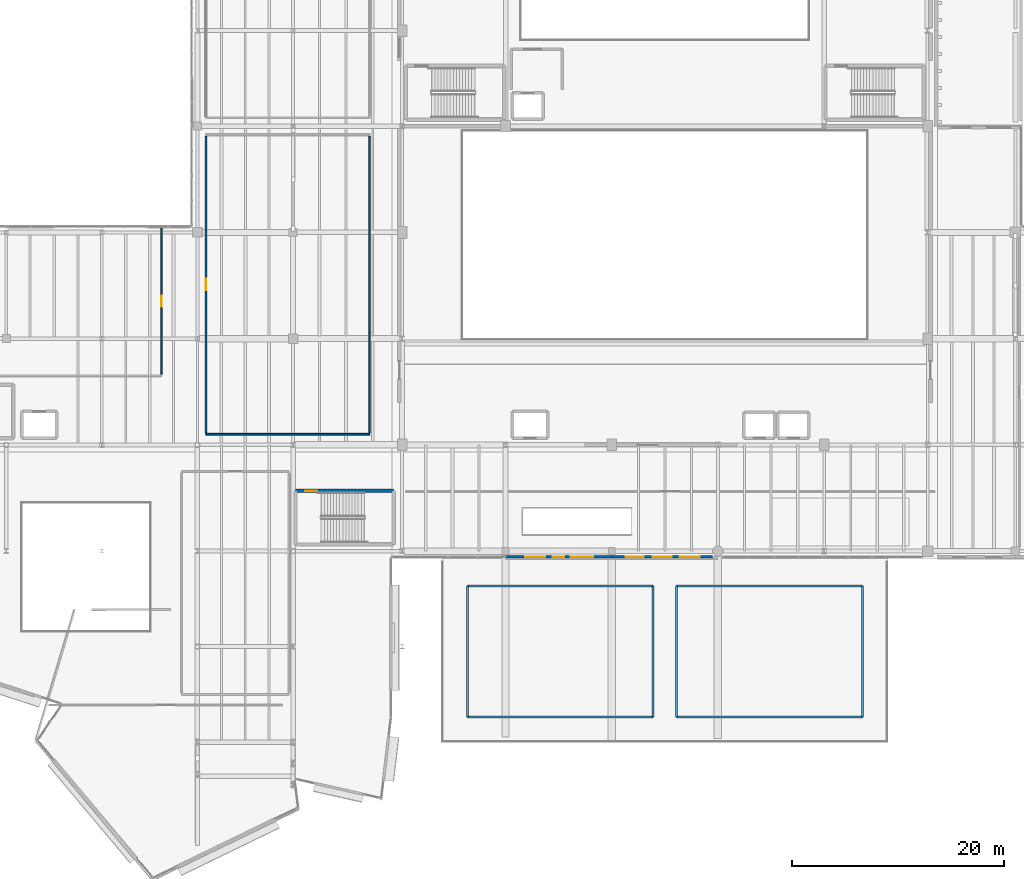
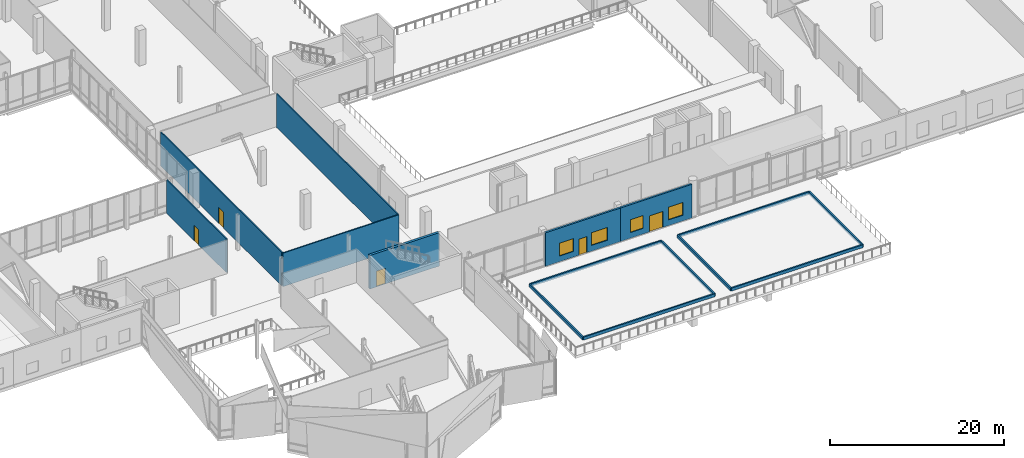
# One storey, part 42 of 60: 15 walls, 5 doors, 4 windows, 9 openings.
"""IFC4 building model written with IfcOpenShell, lengths in metres."""

from ifc_helpers import new_model, si_unit, direction, frame, frame_2d, origin, place, context, subcontext, project, spatial, rectangle, extrude, material, layer, layer_set, type_object, element, fill, save


model = new_model("IFC4")

# Units and contexts
model_context = context("Model", 3, precision=1e-05, world=origin(), true_north=direction((0.0, 1.0)))
body_context = subcontext(model_context, "Body", "Model", "MODEL_VIEW")
ifc_project = project(units=[si_unit("LENGTHUNIT", "METRE"), si_unit("AREAUNIT", "SQUARE_METRE"), si_unit("VOLUMEUNIT", "CUBIC_METRE"), si_unit("PLANEANGLEUNIT", "RADIAN"), si_unit("MASSUNIT", "GRAM", prefix="KILO")], contexts=[model_context])

# Site, building, storey
site_placement = place(None, origin())
site = spatial("IfcSite", under=ifc_project, at=site_placement, CompositionType="ELEMENT")
building_placement = place(site_placement, origin())
building = spatial("IfcBuilding", under=site, at=building_placement, Name="Trimount Lyric Opera House", CompositionType="ELEMENT")
storey_placement = place(building_placement, frame((0.0, 0.0, 15.0)))
storey = spatial("IfcBuildingStorey", under=building, at=storey_placement, Name="L03", CompositionType="ELEMENT", Elevation=15.0)

# Walls
ifc_material_1 = material(Name="Precast concrete C40/50", Category="concrete")
ifc_layer_1 = layer(ifc_material_1, 0.18994140625)
ifc_layer_set_1 = layer_set([ifc_layer_1], Name="WL-PA190")
wall_type_1 = type_object("IfcWallType", Name="WL-PA190", PredefinedType="PARAPET", material=ifc_layer_set_1)
for number, where, z_axis, x_axis, name in (
    (1, (70.39990234375, 28.39990234375, 0.0), (0.0, 0.0, 1.0), (1.0, 0.0, 0.0), "South Concourse Roof Garden stone planter kerb 1S"),
    (2, (87.89990234375, 40.719970703125, 0.0), (0.0, 0.0, 1.0), (-1.0, 0.0, 0.0), "South Concourse Roof Garden stone planter kerb 1N"),
):
    element("IfcWall", number, at=place(storey_placement, frame(where, z_axis=z_axis, x_axis=x_axis)), inside=storey, type_object=wall_type_1, Name=name, PredefinedType="PARAPET", context=body_context, shape_type="SweptSolid", body=[
        extrude(rectangle(XDim=17.5, YDim=0.18994140625, at=frame_2d((8.75, 0.0))), origin(), (0.0, 0.0, 1.0), 0.419921875),
    ])
for number, where, z_axis, x_axis, name in (
    (3, (70.39990234375, 40.719970703125, 0.0), (0.0, 0.0, 1.0), (0.0, -1.0, 0.0), "South Concourse Roof Garden stone planter kerb 1W"),
    (4, (87.89990234375, 28.39990234375, 0.0), (0.0, 0.0, 1.0), (0.0, 1.0, 0.0), "South Concourse Roof Garden stone planter kerb 1E"),
):
    element("IfcWall", number, at=place(storey_placement, frame(where, z_axis=z_axis, x_axis=x_axis)), inside=storey, type_object=wall_type_1, Name=name, PredefinedType="PARAPET", context=body_context, shape_type="SweptSolid", body=[
        extrude(rectangle(XDim=12.320068359375, YDim=0.18994140625, at=frame_2d((6.16015625, 0.0))), origin(), (0.0, 0.0, 1.0), 0.419921875),
    ])
for number, where, z_axis, x_axis, name in (
    (5, (90.10009765625, 28.39990234375, 0.0), (0.0, 0.0, 1.0), (1.0, 0.0, 0.0), "South Concourse Roof Garden stone planter kerb 2S"),
    (6, (107.60009765625, 40.719970703125, 0.0), (0.0, 0.0, 1.0), (-1.0, 0.0, 0.0), "South Concourse Roof Garden stone planter kerb 2N"),
):
    element("IfcWall", number, at=place(storey_placement, frame(where, z_axis=z_axis, x_axis=x_axis)), inside=storey, type_object=wall_type_1, Name=name, PredefinedType="PARAPET", context=body_context, shape_type="SweptSolid", body=[
        extrude(rectangle(XDim=17.5, YDim=0.18994140625, at=frame_2d((8.75, 0.0))), origin(), (0.0, 0.0, 1.0), 0.419921875),
    ])
for number, where, z_axis, x_axis, name in (
    (7, (90.10009765625, 40.719970703125, 0.0), (0.0, 0.0, 1.0), (0.0, -1.0, 0.0), "South Concourse Roof Garden stone planter kerb 2W"),
    (8, (107.60009765625, 28.39990234375, 0.0), (0.0, 0.0, 1.0), (0.0, 1.0, 0.0), "South Concourse Roof Garden stone planter kerb 2E"),
):
    element("IfcWall", number, at=place(storey_placement, frame(where, z_axis=z_axis, x_axis=x_axis)), inside=storey, type_object=wall_type_1, Name=name, PredefinedType="PARAPET", context=body_context, shape_type="SweptSolid", body=[
        extrude(rectangle(XDim=12.320068359375, YDim=0.18994140625, at=frame_2d((6.16015625, 0.0))), origin(), (0.0, 0.0, 1.0), 0.419921875),
    ])

# Wall, opening, door
ifc_material_2 = material(Name="Fire-Rated Gypsum Board Partition")
ifc_layer_2 = layer(ifc_material_2, 0.14990234375)
ifc_layer_set_2 = layer_set([ifc_layer_2], Name="WL-PT150")
wall_type_2 = type_object("IfcWallType", Name="WL-PT150", PredefinedType="PARTITIONING", material=ifc_layer_set_2)
wall_1_placement = place(storey_placement, frame((41.60009765625, 60.64990234375, 0.0), z_axis=(0.0, 0.0, 1.0), x_axis=(0.0, 1.0, 0.0)))
wall_1 = element("IfcWall", 9, at=wall_1_placement, inside=storey, type_object=wall_type_2, Name="L03 Dramaturgy & Libretto Workshop E partition", PredefinedType="PARTITIONING", context=body_context, shape_type="SweptSolid", body=[
    extrude(rectangle(XDim=13.75, YDim=0.14990234375, at=frame_2d((6.875, 0.0))), origin(), (0.0, 0.0, 1.0), 4.719970703125),
])
opening_1_placement = place(wall_1_placement, frame((6.375, 0.0, 0.0)))
opening_1 = element("IfcOpeningElement", 10, at=opening_1_placement, cuts=wall_1, Name="Opening DT-RM1", PredefinedType="OPENING", context=body_context, shape_type="SweptSolid", body=[
    extrude(rectangle(XDim=1.0, YDim=2.14990234375, at=frame_2d((0.5, 1.074951171875))), frame((0.0, 0.0849609375, 0.0), z_axis=(0.0, -1.0, 0.0), x_axis=(1.0, 0.0, 0.0)), (0.0, 0.0, 1.0), 0.169921875),
])
ifc_material_3 = material(Name="Solid Core White Oak")
door_type_1 = type_object("IfcDoorType", Name="DT-RM1", OperationType="NOTDEFINED", PredefinedType="DOOR", material=ifc_material_3)
door_1_placement = place(opening_1_placement, origin())
door_1 = element("IfcDoor", 11, at=door_1_placement, inside=storey, type_object=door_type_1, Name="D-227", OperationType="SINGLE_SWING_LEFT", OverallHeight=2.14990234375, OverallWidth=1.0, PredefinedType="DOOR", context=body_context, shape_type="SweptSolid", body=[
    extrude(rectangle(XDim=1.0, YDim=2.14990234375, at=frame_2d((0.5, 1.074951171875))), frame((0.0, 0.02490234375, 0.0), z_axis=(0.0, -1.0, 0.0), x_axis=(1.0, 0.0, 0.0)), (0.0, 0.0, 1.0), 0.050048828125),
])
fill(opening_1, door_1)

# Wall
wall_2_placement = place(storey_placement, frame((45.800048828125, 55.0, 0.0), z_axis=(0.0, 0.0, 1.0), x_axis=(1.0, 0.0, 0.0)))
element("IfcWall", 12, at=wall_2_placement, inside=storey, type_object=wall_type_2, Name="L03 Young Artist Residency Studio S partition", PredefinedType="PARTITIONING", context=body_context, shape_type="SweptSolid", body=[
    extrude(rectangle(XDim=15.39990234375, YDim=0.14990234375, at=frame_2d((7.699951171875, 0.0))), origin(), (0.0, 0.0, 1.0), 4.719970703125),
])

# Wall, opening, door
wall_3_placement = place(storey_placement, frame((45.800048828125, 83.050048828125, 0.0), z_axis=(0.0, 0.0, 1.0), x_axis=(0.0, -1.0, 0.0)))
wall_3 = element("IfcWall", 13, at=wall_3_placement, inside=storey, type_object=wall_type_2, Name="L03 Young Artist Residency Studio W partition", PredefinedType="PARTITIONING", context=body_context, shape_type="SweptSolid", body=[
    extrude(rectangle(XDim=27.900146484375, YDim=0.14990234375, at=frame_2d((13.9501953125, 0.0))), origin(), (0.0, 0.0, 1.0), 4.719970703125),
])
opening_2_placement = place(wall_3_placement, frame((13.389892578125, 0.0, 0.0)))
opening_2 = element("IfcOpeningElement", 14, at=opening_2_placement, cuts=wall_3, Name="Opening DT-AC2", PredefinedType="OPENING", context=body_context, shape_type="SweptSolid", body=[
    extrude(rectangle(XDim=1.1201171875, YDim=2.25, at=frame_2d((0.56005859375, 1.125))), frame((0.0, 0.0849609375, 0.0), z_axis=(0.0, -1.0, 0.0), x_axis=(1.0, 0.0, 0.0)), (0.0, 0.0, 1.0), 0.169921875),
])
ifc_material_4 = material(Name="Acoustic Steel-Core Timber", Category="steel")
door_type_2 = type_object("IfcDoorType", Name="DT-AC2", OperationType="NOTDEFINED", PredefinedType="DOOR", material=ifc_material_4)
door_2_placement = place(opening_2_placement, origin())
door_2 = element("IfcDoor", 15, at=door_2_placement, inside=storey, type_object=door_type_2, Name="D-228", OperationType="SINGLE_SWING_RIGHT", OverallHeight=2.25, OverallWidth=1.1201171875, PredefinedType="DOOR", context=body_context, shape_type="SweptSolid", body=[
    extrude(rectangle(XDim=1.1201171875, YDim=2.25, at=frame_2d((0.56005859375, 1.125))), frame((0.0, 0.02490234375, 0.0), z_axis=(0.0, -1.0, 0.0), x_axis=(1.0, 0.0, 0.0)), (0.0, 0.0, 1.0), 0.050048828125),
])
fill(opening_2, door_2)

# Wall
wall_4_placement = place(storey_placement, frame((61.199951171875, 55.14990234375, 0.0), z_axis=(0.0, 0.0, 1.0), x_axis=(0.0, 1.0, 0.0)))
element("IfcWall", 16, at=wall_4_placement, inside=storey, type_object=wall_type_2, Name="L03 Young Artist Residency Studio E partition", PredefinedType="PARTITIONING", context=body_context, shape_type="SweptSolid", body=[
    extrude(rectangle(XDim=27.900146484375, YDim=0.14990234375, at=frame_2d((13.9501953125, 0.0))), origin(), (0.0, 0.0, 1.0), 4.719970703125),
])

# Wall, opening, door
ifc_material_5 = material(Name="Concrete C40/50", Category="concrete")
ifc_layer_3 = layer(ifc_material_5, 0.320068359375)
ifc_layer_set_3 = layer_set([ifc_layer_3], Name="WL-SH320")
wall_type_3 = type_object("IfcWallType", Name="WL-SH320", PredefinedType="SHEAR", material=ifc_layer_set_3)
wall_5_placement = place(storey_placement, frame((63.47509765625, 49.675048828125, 0.0), z_axis=(0.0, 0.0, 1.0), x_axis=(-1.0, 0.0, 0.0)))
wall_5 = element("IfcWall", 17, at=wall_5_placement, inside=storey, type_object=wall_type_3, Name="K7 L03 north shaft wall", PredefinedType="SHEAR", context=body_context, shape_type="SweptSolid", body=[
    extrude(rectangle(XDim=9.25, YDim=0.320068359375, at=frame_2d((4.625, 0.0))), origin(), (0.0, 0.0, 1.0), 4.699951171875),
])
opening_3_placement = place(wall_5_placement, frame((7.199951171875, 0.0, 0.0)))
opening_3 = element("IfcOpeningElement", 18, at=opening_3_placement, cuts=wall_5, Name="Opening DT-ST1", PredefinedType="OPENING", context=body_context, shape_type="SweptSolid", body=[
    extrude(rectangle(XDim=1.14990234375, YDim=2.199951171875, at=frame_2d((0.574951171875, 1.10009765625))), frame((0.0, 0.169921875, 0.0), z_axis=(0.0, -1.0, 0.0), x_axis=(1.0, 0.0, 0.0)), (0.0, 0.0, 1.0), 0.340087890625),
])
ifc_material_6 = material(Name="Fire-Rated Hollow Steel", Category="steel")
door_type_3 = type_object("IfcDoorType", Name="DT-ST1", OperationType="NOTDEFINED", PredefinedType="DOOR", material=ifc_material_6)
door_3_placement = place(opening_3_placement, origin())
door_3 = element("IfcDoor", 19, at=door_3_placement, inside=storey, type_object=door_type_3, Name="D-055", OperationType="SINGLE_SWING_LEFT", OverallHeight=2.199951171875, OverallWidth=1.14990234375, PredefinedType="DOOR", context=body_context, shape_type="SweptSolid", body=[
    extrude(rectangle(XDim=1.14990234375, YDim=2.199951171875, at=frame_2d((0.574951171875, 1.10009765625))), frame((0.0, 0.02490234375, 0.0), z_axis=(0.0, -1.0, 0.0), x_axis=(1.0, 0.0, 0.0)), (0.0, 0.0, 1.0), 0.050048828125),
])
fill(opening_3, door_3)

# Wall, openings, door, windows
ifc_material_7 = material(Name="Concrete C35/45", Category="concrete")
ifc_layer_4 = layer(ifc_material_7, 0.239990234375)
ifc_layer_set_4 = layer_set([ifc_layer_4], Name="WL-SW240")
wall_type_4 = type_object("IfcWallType", Name="WL-SW240", PredefinedType="SOLIDWALL", material=ifc_layer_set_4)
wall_6_placement = place(storey_placement, frame((93.5, 43.4599609375, 0.0), z_axis=(0.0, 0.0, 1.0), x_axis=(-1.0, 0.0, 0.0)))
wall_6 = element("IfcWall", 20, at=wall_6_placement, inside=storey, type_object=wall_type_4, Name="L03 exterior facade wall 280", PredefinedType="SOLIDWALL", context=body_context, shape_type="SweptSolid", body=[
    extrude(rectangle(XDim=9.5, YDim=0.239990234375, at=frame_2d((4.75, 0.0))), origin(), (0.0, 0.0, 1.0), 4.719970703125),
])
opening_4_placement = place(wall_6_placement, frame((1.2099609375, 0.0, 0.800048828125)))
opening_4 = element("IfcOpeningElement", 21, at=opening_4_placement, cuts=wall_6, Name="Opening WT-18", PredefinedType="OPENING", context=body_context, shape_type="SweptSolid", body=[
    extrude(rectangle(XDim=1.89990234375, YDim=1.800048828125, at=frame_2d((0.949951171875, 0.89990234375))), frame((0.0, 0.1298828125, 0.0), z_axis=(0.0, -1.0, 0.0), x_axis=(1.0, 0.0, 0.0)), (0.0, 0.0, 1.0), 0.260009765625),
])
opening_5_placement = place(wall_6_placement, frame((6.489990234375, 0.0, 0.800048828125)))
opening_5 = element("IfcOpeningElement", 22, at=opening_5_placement, cuts=wall_6, Name="Opening WT-19", PredefinedType="OPENING", context=body_context, shape_type="SweptSolid", body=[
    extrude(rectangle(XDim=1.699951171875, YDim=1.800048828125, at=frame_2d((0.85009765625, 0.89990234375))), frame((0.0, 0.1298828125, 0.0), z_axis=(0.0, -1.0, 0.0), x_axis=(1.0, 0.0, 0.0)), (0.0, 0.0, 1.0), 0.260009765625),
])
opening_6_placement = place(wall_6_placement, frame((3.85009765625, 0.0, 0.0)))
opening_6 = element("IfcOpeningElement", 23, at=opening_6_placement, cuts=wall_6, Name="Opening DT-TER1", PredefinedType="OPENING", context=body_context, shape_type="SweptSolid", body=[
    extrude(rectangle(XDim=1.800048828125, YDim=2.25, at=frame_2d((0.89990234375, 1.125))), frame((0.0, 0.1298828125, 0.0), z_axis=(0.0, -1.0, 0.0), x_axis=(1.0, 0.0, 0.0)), (0.0, 0.0, 1.0), 0.260009765625),
])
ifc_material_8 = material(Name="Thermally Broken Aluminium Glazed", Category="aluminium")
door_type_4 = type_object("IfcDoorType", Name="DT-TER1", OperationType="DOUBLE_DOOR_SINGLE_SWING", PredefinedType="DOOR", material=ifc_material_8)
door_4_placement = place(opening_6_placement, origin())
door_4 = element("IfcDoor", 24, at=door_4_placement, inside=storey, type_object=door_type_4, Name="D-158", OperationType="DOUBLE_DOOR_SINGLE_SWING", OverallHeight=2.25, OverallWidth=1.800048828125, PredefinedType="DOOR", context=body_context, shape_type="SweptSolid", body=[
    extrude(rectangle(XDim=1.800048828125, YDim=2.25, at=frame_2d((0.89990234375, 1.125))), frame((0.0, 0.02490234375, 0.0), z_axis=(0.0, -1.0, 0.0), x_axis=(1.0, 0.0, 0.0)), (0.0, 0.0, 1.0), 0.050048828125),
])
fill(opening_6, door_4)
ifc_material_9 = material(Name="Dressing Suite Acoustic Window")
window_type_1 = type_object("IfcWindowType", Name="WT-18", PartitioningType="DOUBLE_PANEL_VERTICAL", PredefinedType="WINDOW", material=ifc_material_9)
window_1_placement = place(opening_4_placement, origin())
window_1 = element("IfcWindow", 25, at=window_1_placement, inside=storey, type_object=window_type_1, Name="Window WT-18-0249", OverallHeight=1.800048828125, OverallWidth=1.89990234375, PartitioningType="SINGLE_PANEL", PredefinedType="WINDOW", context=body_context, shape_type="SweptSolid", body=[
    extrude(rectangle(XDim=1.89990234375, YDim=1.800048828125, at=frame_2d((0.949951171875, 0.89990234375))), frame((0.0, 0.030029296875, 0.0), z_axis=(0.0, -1.0, 0.0), x_axis=(1.0, 0.0, 0.0)), (0.0, 0.0, 1.0), 0.06005859375),
])
fill(opening_4, window_1)
ifc_material_10 = material(Name="Dressing Suite Acoustic Window")
window_type_2 = type_object("IfcWindowType", Name="WT-19", PartitioningType="SINGLE_PANEL", PredefinedType="WINDOW", material=ifc_material_10)
window_2_placement = place(opening_5_placement, origin())
window_2 = element("IfcWindow", 26, at=window_2_placement, inside=storey, type_object=window_type_2, Name="Window WT-19-0250", OverallHeight=1.800048828125, OverallWidth=1.699951171875, PartitioningType="SINGLE_PANEL", PredefinedType="WINDOW", context=body_context, shape_type="SweptSolid", body=[
    extrude(rectangle(XDim=1.699951171875, YDim=1.800048828125, at=frame_2d((0.85009765625, 0.89990234375))), frame((0.0, 0.030029296875, 0.0), z_axis=(0.0, -1.0, 0.0), x_axis=(1.0, 0.0, 0.0)), (0.0, 0.0, 1.0), 0.06005859375),
])
fill(opening_5, window_2)

wall_7_placement = place(storey_placement, frame((84.0, 43.4599609375, 0.0), z_axis=(0.0, 0.0, 1.0), x_axis=(-1.0, 0.0, 0.0)))
wall_7 = element("IfcWall", 27, at=wall_7_placement, inside=storey, type_object=wall_type_4, Name="L03 exterior facade wall 281", PredefinedType="SOLIDWALL", context=body_context, shape_type="SweptSolid", body=[
    extrude(rectangle(XDim=10.0, YDim=0.239990234375, at=frame_2d((5.0, 0.0))), origin(), (0.0, 0.0, 1.0), 4.719970703125),
])
opening_7_placement = place(wall_7_placement, frame((1.75, 0.0, 0.800048828125)))
opening_7 = element("IfcOpeningElement", 28, at=opening_7_placement, cuts=wall_7, Name="Opening WT-17", PredefinedType="OPENING", context=body_context, shape_type="SweptSolid", body=[
    extrude(rectangle(XDim=2.10009765625, YDim=1.800048828125, at=frame_2d((1.050048828125, 0.89990234375))), frame((0.0, 0.1298828125, 0.0), z_axis=(0.0, -1.0, 0.0), x_axis=(1.0, 0.0, 0.0)), (0.0, 0.0, 1.0), 0.260009765625),
])
opening_8_placement = place(wall_7_placement, frame((6.25, 0.0, 0.800048828125)))
opening_8 = element("IfcOpeningElement", 29, at=opening_8_placement, cuts=wall_7, Name="Opening WT-18", PredefinedType="OPENING", context=body_context, shape_type="SweptSolid", body=[
    extrude(rectangle(XDim=1.89990234375, YDim=1.800048828125, at=frame_2d((0.949951171875, 0.89990234375))), frame((0.0, 0.1298828125, 0.0), z_axis=(0.0, -1.0, 0.0), x_axis=(1.0, 0.0, 0.0)), (0.0, 0.0, 1.0), 0.260009765625),
])
opening_9_placement = place(wall_7_placement, frame((4.449951171875, 0.0, 0.0)))
opening_9 = element("IfcOpeningElement", 30, at=opening_9_placement, cuts=wall_7, Name="Opening DT-TER2", PredefinedType="OPENING", context=body_context, shape_type="SweptSolid", body=[
    extrude(rectangle(XDim=1.10009765625, YDim=2.25, at=frame_2d((0.550048828125, 1.125))), frame((0.0, 0.1298828125, 0.0), z_axis=(0.0, -1.0, 0.0), x_axis=(1.0, 0.0, 0.0)), (0.0, 0.0, 1.0), 0.260009765625),
])
ifc_material_11 = material(Name="Thermally Broken Aluminium Glazed", Category="aluminium")
door_type_5 = type_object("IfcDoorType", Name="DT-TER2", OperationType="NOTDEFINED", PredefinedType="DOOR", material=ifc_material_11)
door_5_placement = place(opening_9_placement, origin())
door_5 = element("IfcDoor", 31, at=door_5_placement, inside=storey, type_object=door_type_5, Name="D-159", OperationType="SINGLE_SWING_LEFT", OverallHeight=2.25, OverallWidth=1.10009765625, PredefinedType="DOOR", context=body_context, shape_type="SweptSolid", body=[
    extrude(rectangle(XDim=1.10009765625, YDim=2.25, at=frame_2d((0.550048828125, 1.125))), frame((0.0, 0.02490234375, 0.0), z_axis=(0.0, -1.0, 0.0), x_axis=(1.0, 0.0, 0.0)), (0.0, 0.0, 1.0), 0.050048828125),
])
fill(opening_9, door_5)
ifc_material_12 = material(Name="Dressing Suite Acoustic Window")
window_type_3 = type_object("IfcWindowType", Name="WT-17", PartitioningType="DOUBLE_PANEL_VERTICAL", PredefinedType="WINDOW", material=ifc_material_12)
window_3_placement = place(opening_7_placement, origin())
window_3 = element("IfcWindow", 32, at=window_3_placement, inside=storey, type_object=window_type_3, Name="Window WT-17-0251", OverallHeight=1.800048828125, OverallWidth=2.10009765625, PartitioningType="SINGLE_PANEL", PredefinedType="WINDOW", context=body_context, shape_type="SweptSolid", body=[
    extrude(rectangle(XDim=2.10009765625, YDim=1.800048828125, at=frame_2d((1.050048828125, 0.89990234375))), frame((0.0, 0.030029296875, 0.0), z_axis=(0.0, -1.0, 0.0), x_axis=(1.0, 0.0, 0.0)), (0.0, 0.0, 1.0), 0.06005859375),
])
fill(opening_7, window_3)
window_4_placement = place(opening_8_placement, origin())
window_4 = element("IfcWindow", 33, at=window_4_placement, inside=storey, type_object=window_type_1, Name="Window WT-18-0252", OverallHeight=1.800048828125, OverallWidth=1.89990234375, PartitioningType="SINGLE_PANEL", PredefinedType="WINDOW", context=body_context, shape_type="SweptSolid", body=[
    extrude(rectangle(XDim=1.89990234375, YDim=1.800048828125, at=frame_2d((0.949951171875, 0.89990234375))), frame((0.0, 0.030029296875, 0.0), z_axis=(0.0, -1.0, 0.0), x_axis=(1.0, 0.0, 0.0)), (0.0, 0.0, 1.0), 0.06005859375),
])
fill(opening_8, window_4)

save(model, "model.ifc")
